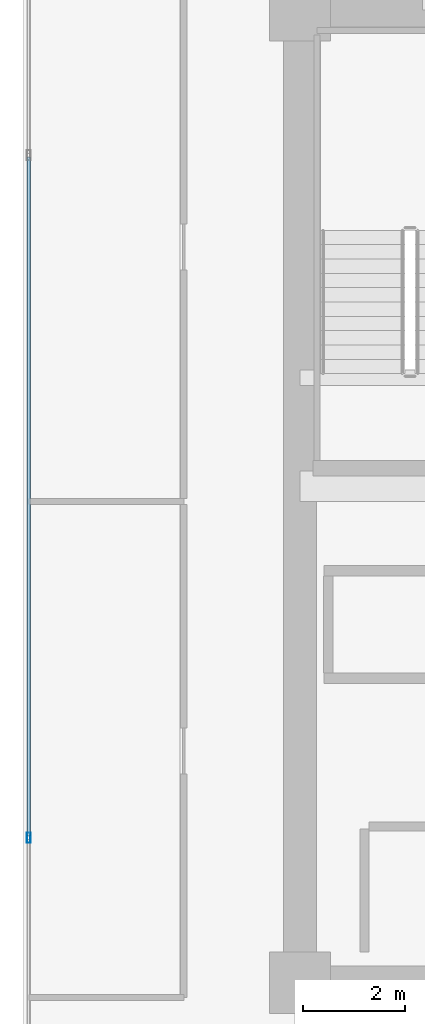
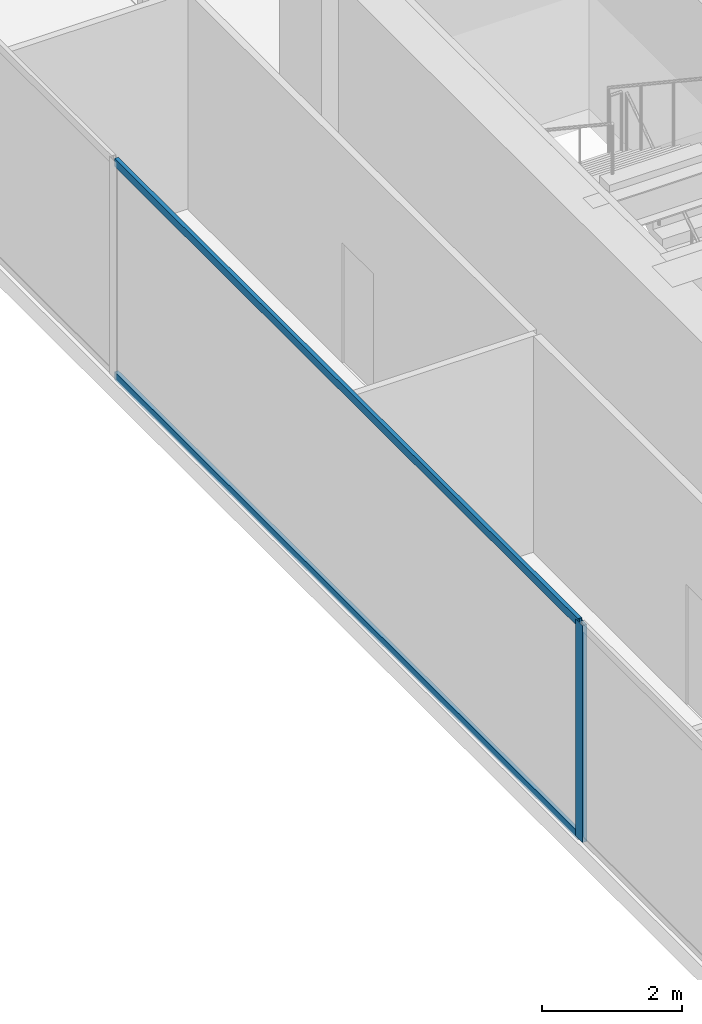
# One storey, part 6 of 33: 3 members, 1 element without a shape of its own.
"""IFC4 building model written with IfcOpenShell, lengths in metres."""

import ifcopenshell
import ifcopenshell.guid

model = None  # the IFC model being written
_history = None  # IfcOwnerHistory: only IFC2X3 demands one
_inside = {}  # id of a spatial element -> (the spatial element, [elements in it])
_under = {}  # id of a project, library or spatial element -> (it, [spatial elements below it])
_declared = {}  # id of a project -> (the project, [libraries it declares])
_typed = {}  # id of a type object -> (the type object, [elements of that type])
_made_of = {}  # id of a material, layer set ... -> (it, [elements and type objects made of it])


def new_model(schema):
    """Start an empty IFC model of exactly this schema.

    Asked for "IFC4X3", IfcOpenShell would pick the latest addendum, in which some entities
    have other attributes; the version numbers below select the first issue.
    IFC2X3 requires an IfcOwnerHistory on every rooted entity: one is made here for all.
    """
    global model, _history
    if schema == "IFC4X3":
        model = ifcopenshell.file(schema_version=(4, 3, 0, 0))
    else:
        model = ifcopenshell.file(schema=schema)
    _inside.clear()
    _under.clear()
    _declared.clear()
    _typed.clear()
    _made_of.clear()
    _history = None
    if model.schema == "IFC2X3":
        org = make("IfcOrganization", Name="unknown")
        user = make(
            "IfcPersonAndOrganization",
            ThePerson=make("IfcPerson", FamilyName="unknown"),
            TheOrganization=org,
        )
        app = make(
            "IfcApplication",
            ApplicationDeveloper=org,
            Version="unknown",
            ApplicationFullName="unknown",
            ApplicationIdentifier="unknown",
        )
        _history = make(
            "IfcOwnerHistory",
            OwningUser=user,
            OwningApplication=app,
            ChangeAction="ADDED",
            CreationDate=0,
        )
    return model


def make(cls, **values):
    """One entity of the class cls with the attributes given. An attribute that is None is left unset."""
    return model.create_entity(
        cls, **{name: value for name, value in values.items() if value is not None}
    )


def rooted(cls, **values):
    """An entity with a GlobalId (a new one), such as an element, a storey or a relation."""
    return make(cls, GlobalId=ifcopenshell.guid.new(), OwnerHistory=_history, **values)


def si_unit(unit_type, name, prefix=None):
    """IfcSIUnit, for example si_unit("LENGTHUNIT", "METRE", prefix="MILLI")."""
    return make("IfcSIUnit", UnitType=unit_type, Prefix=prefix, Name=name)


def assignment(units):
    """IfcUnitAssignment: the units of a project."""
    return None if units is None else make("IfcUnitAssignment", Units=units)


def point(xyz):
    """IfcCartesianPoint."""
    return None if xyz is None else make("IfcCartesianPoint", Coordinates=xyz)


def direction(xyz):
    """IfcDirection."""
    return None if xyz is None else make("IfcDirection", DirectionRatios=xyz)


def frame(location, z_axis=None, x_axis=None):
    """IfcAxis2Placement3D, a coordinate frame: its origin and axes. An axis left out is left unset."""
    return make(
        "IfcAxis2Placement3D",
        Location=point(location),
        Axis=direction(z_axis),
        RefDirection=direction(x_axis),
    )


def frame_2d(location, x_axis=None):
    """IfcAxis2Placement2D, a coordinate frame in the plane: its origin and x axis."""
    return make(
        "IfcAxis2Placement2D", Location=point(location), RefDirection=direction(x_axis)
    )


def origin():
    """The frame at (0, 0, 0) with its axes left unset."""
    return frame((0.0, 0.0, 0.0))


def origin_2d():
    """The frame at (0, 0) in the plane with its x axis left unset."""
    return frame_2d((0.0, 0.0))


def place(relative_to, where):
    """IfcLocalPlacement: puts the frame where relative to a parent placement (None: the world)."""
    return make(
        "IfcLocalPlacement", PlacementRelTo=relative_to, RelativePlacement=where
    )


def context(
    kind, dimensions, precision=None, world=None, true_north=None, identifier=None
):
    """IfcGeometricRepresentationContext, for example the 3D "Model" context."""
    return make(
        "IfcGeometricRepresentationContext",
        ContextIdentifier=identifier,
        ContextType=kind,
        CoordinateSpaceDimension=dimensions,
        Precision=precision,
        WorldCoordinateSystem=world,
        TrueNorth=true_north,
    )


def subcontext(parent, identifier, kind, view, scale=None):
    """IfcGeometricRepresentationSubContext, for example "Body" below "Model"."""
    return make(
        "IfcGeometricRepresentationSubContext",
        ContextIdentifier=identifier,
        ContextType=kind,
        ParentContext=parent,
        TargetScale=scale,
        TargetView=view,
    )


def project(units=None, contexts=None):
    """IfcProject with its units and contexts."""
    return rooted(
        "IfcProject",
        Name="project",
        RepresentationContexts=contexts,
        UnitsInContext=assignment(units),
    )


def spatial(cls, under=None, at=None, **own):
    """A site, building, storey or space (cls), placed at a placement, below another one or the project."""
    s = rooted(cls, ObjectPlacement=at, **own)
    if under is not None:
        _under.setdefault(under.id(), (under, []))[1].append(s)
    return s


def profile(cls, at=None, kind="AREA", **sizes):
    """A parametric profile (cls). Its sizes go by their IFC names, for example OverallWidth=200.0."""
    return make(cls, ProfileType=kind, Position=at, **sizes)


def hollow_rectangle(**sizes):
    """IfcRectangleHollowProfileDef."""
    return profile("IfcRectangleHollowProfileDef", **sizes)


def extrude(swept, where, along, depth):
    """IfcExtrudedAreaSolid: the profile swept, set in the frame where, extruded along a direction by depth."""
    return make(
        "IfcExtrudedAreaSolid",
        SweptArea=swept,
        Position=where,
        ExtrudedDirection=direction(along),
        Depth=depth,
    )


def shape(context_of_items, identifier, shape_type, items):
    """IfcShapeRepresentation: the items that make up one representation, for example the "Body"."""
    return make(
        "IfcShapeRepresentation",
        ContextOfItems=context_of_items,
        RepresentationIdentifier=identifier,
        RepresentationType=shape_type,
        Items=items,
    )


def source(mapping_origin, context_of_items, identifier, shape_type, items):
    """IfcRepresentationMap: a shape defined once, which mapped items show again and again."""
    return make(
        "IfcRepresentationMap",
        MappingOrigin=mapping_origin,
        MappedRepresentation=shape(context_of_items, identifier, shape_type, items),
    )


def transform(
    local_origin,
    x_axis=None,
    y_axis=None,
    z_axis=None,
    scale=None,
    scale2=None,
    scale3=None,
    uniform=True,
):
    """IfcCartesianTransformationOperator3D, or its non-uniform kind. x_axis, y_axis, z_axis: its Axis1, 2, 3."""
    if uniform:
        return make(
            "IfcCartesianTransformationOperator3D",
            Axis1=direction(x_axis),
            Axis2=direction(y_axis),
            LocalOrigin=point(local_origin),
            Scale=scale,
            Axis3=direction(z_axis),
        )
    return make(
        "IfcCartesianTransformationOperator3DnonUniform",
        Axis1=direction(x_axis),
        Axis2=direction(y_axis),
        LocalOrigin=point(local_origin),
        Scale=scale,
        Axis3=direction(z_axis),
        Scale2=scale2,
        Scale3=scale3,
    )


def mapped(mapping_source, mapping_target):
    """IfcMappedItem: shows the shape of a source again, moved by a transform."""
    return make(
        "IfcMappedItem", MappingSource=mapping_source, MappingTarget=mapping_target
    )


def material(Name=None, Category=None):
    """IfcMaterial."""
    return make("IfcMaterial", Name=Name, Category=Category)


def layer(
    of_material, thickness, ventilated=None, Name=None, Category=None, Priority=None
):
    """IfcMaterialLayer: one layer of a wall or slab, of a material (None: an air gap)."""
    return make(
        "IfcMaterialLayer",
        Material=of_material,
        LayerThickness=thickness,
        IsVentilated=ventilated,
        Name=Name,
        Category=Category,
        Priority=Priority,
    )


def layer_set(layers, Name=None):
    """IfcMaterialLayerSet."""
    return make("IfcMaterialLayerSet", MaterialLayers=layers, LayerSetName=Name)


def material_profile(
    of_material, cross_section, Name=None, Category=None, Priority=None
):
    """IfcMaterialProfile: a cross section and its material."""
    return make(
        "IfcMaterialProfile",
        Name=Name,
        Material=of_material,
        Profile=cross_section,
        Priority=Priority,
        Category=Category,
    )


def profile_set(profiles, Name=None, composite=None):
    """IfcMaterialProfileSet."""
    return make(
        "IfcMaterialProfileSet",
        Name=Name,
        MaterialProfiles=profiles,
        CompositeProfile=composite,
    )


def made_of(thing, what):
    """Note that an element or type object is made of a material, layer set ...; save() writes the relation."""
    if what is not None:
        _made_of.setdefault(what.id(), (what, []))[1].append(thing)
    return thing


def type_object(cls, material=None, **own):
    """A type object (cls), such as IfcWallType, which elements share."""
    return made_of(rooted(cls, **own), material)


def type_shapes(of_type, sources):
    """Give a type object the sources (RepresentationMaps) that its elements show as mapped items."""
    of_type.RepresentationMaps = sources


def element(
    cls,
    number,
    at=None,
    inside=None,
    cuts=None,
    type_object=None,
    material=None,
    context=None,
    identifier="Body",
    shape_type=None,
    held_by="IfcProductDefinitionShape",
    body=None,
    shapes=None,
    **own,
):
    """One element of the class cls, such as IfcWall. Its Tag is "e" and its number.

    at: its placement. inside: the storey or other place that contains it. cuts: it is an
    opening in that element (IfcRelVoidsElement). A single representation is given by context,
    identifier, shape_type and body (its items); several are given by shapes. held_by: the class
    of the entity that holds the representations. save() writes the other relations.
    """
    e = rooted(cls, Tag="e%d" % number, ObjectPlacement=at, **own)
    if body is not None:
        shapes = [shape(context, identifier, shape_type, body)]
    if shapes is not None:
        e.Representation = make(held_by, Representations=shapes)
    if inside is not None:
        _inside.setdefault(inside.id(), (inside, []))[1].append(e)
    if cuts is not None:
        rooted(
            "IfcRelVoidsElement", RelatingBuildingElement=cuts, RelatedOpeningElement=e
        )
    if type_object is not None:
        _typed.setdefault(type_object.id(), (type_object, []))[1].append(e)
    return made_of(e, material)


def aggregate(whole, parts):
    """IfcRelAggregates: a whole, such as a stair, and the parts it consists of."""
    return rooted("IfcRelAggregates", RelatingObject=whole, RelatedObjects=parts)


def save(model, path):
    """Write the relations noted so far, then the file.

    IfcRelAggregates (storeys below a building ...), IfcRelContainedInSpatialStructure (elements
    in a storey), IfcRelDefinesByType, IfcRelAssociatesMaterial and IfcRelDeclares: one each for
    every whole, place, type object, material and project.
    """
    for whole, parts in _under.values():
        aggregate(whole, parts)
    for where, things in _inside.values():
        rooted(
            "IfcRelContainedInSpatialStructure",
            RelatedElements=things,
            RelatingStructure=where,
        )
    for kind, things in _typed.values():
        rooted("IfcRelDefinesByType", RelatedObjects=things, RelatingType=kind)
    for what, things in _made_of.values():
        rooted("IfcRelAssociatesMaterial", RelatedObjects=things, RelatingMaterial=what)
    for by, libraries in _declared.values():
        rooted("IfcRelDeclares", RelatingContext=by, RelatedDefinitions=libraries)
    model.write(path)


model = new_model("IFC4")

# Units and contexts
model_context = context("Model", 3, precision=1e-05, world=origin(), true_north=direction((0.0, 1.0)))
body_context = subcontext(model_context, "Body", "Model", "MODEL_VIEW")
ifc_project = project(units=[si_unit("LENGTHUNIT", "METRE"), si_unit("AREAUNIT", "SQUARE_METRE"), si_unit("VOLUMEUNIT", "CUBIC_METRE"), si_unit("PLANEANGLEUNIT", "RADIAN"), si_unit("MASSUNIT", "GRAM", prefix="KILO")], contexts=[model_context])

# Site, building, storey
site_placement = place(None, origin())
site = spatial("IfcSite", under=ifc_project, at=site_placement, CompositionType="ELEMENT")
building_placement = place(site_placement, origin())
building = spatial("IfcBuilding", under=site, at=building_placement, Name="Haelvirn Gate Laboratories", CompositionType="ELEMENT")
storey_placement = place(building_placement, frame((0.0, 0.0, 166.60009765625)))
storey = spatial("IfcBuildingStorey", under=building, at=storey_placement, Name="L40", CompositionType="ELEMENT", Elevation=166.60009765625)

# Curtain wall, members
ifc_material_1 = material(Name="Anodised bronze unitised aluminium & triple low-E glass", Category="aluminium")
ifc_layer = layer(ifc_material_1, 0.179931640625, Name="CW-SYS-3")
ifc_layer_set = layer_set([ifc_layer], Name="Anodised bronze unitised aluminium & triple low-E glass")
curtain_wall_type = type_object("IfcCurtainWallType", Name="CW-SYS-3", PredefinedType="NOTDEFINED", material=ifc_layer_set)
curtain_wall_placement = place(storey_placement, origin())
curtain_wall = element("IfcCurtainWall", 1, at=curtain_wall_placement, inside=storey, type_object=curtain_wall_type, Name="L40 Unitised Curtain Wall CW-L40-P0-E17", PredefinedType="NOTDEFINED")
ifc_material_2 = material(Name="Extruded aluminium 6063-T6 (anodised bronze)", Category="aluminium")
ifc_material_profile_1 = material_profile(ifc_material_2, hollow_rectangle(XDim=0.06494140625, YDim=0.139892578125, WallThickness=0.00390625, at=origin_2d()), Name="CWT-140x65x4")
ifc_profile_set_1 = profile_set([ifc_material_profile_1], Name="Extruded aluminium 6063-T6 (anodised bronze)")
member_type_1 = type_object("IfcMemberType", Name="CWT-T140", PredefinedType="USERDEFINED", material=ifc_profile_set_1)
shared_shape_1 = source(origin(), body_context, "Body", "SweptSolid", [
    extrude(hollow_rectangle(XDim=0.06494140625, YDim=0.139892578125, WallThickness=0.00390625, at=origin_2d()), origin(), (0.0, 0.0, 1.0), 13.25830078125),
])
type_shapes(member_type_1, [shared_shape_1])
member_1_placement = place(storey_placement, frame((2.10009765625, 30.92919921875, 0.032470703125), z_axis=(0.0, -1.0, 0.0), x_axis=(1.0, 0.0, 0.0)))
member_1 = element("IfcMember", 2, at=member_1_placement, type_object=member_type_1, Name="CW3 transom 2.1", ObjectType="TRANSOM", PredefinedType="USERDEFINED", context=body_context, shape_type="MappedRepresentation", body=[
    mapped(shared_shape_1, transform((0.0, 0.0, 0.0), scale=1.0)),
])
member_2_placement = place(storey_placement, frame((2.10009765625, 30.92919921875, 3.75732421875), z_axis=(0.0, -1.0, 0.0), x_axis=(1.0, 0.0, 0.0)))
member_2 = element("IfcMember", 3, at=member_2_placement, type_object=member_type_1, Name="CW3 transom 2.2", ObjectType="TRANSOM", PredefinedType="USERDEFINED", context=body_context, shape_type="MappedRepresentation", body=[
    mapped(shared_shape_1, transform((0.0, 0.0, 0.0), scale=1.0)),
])
ifc_material_profile_2 = material_profile(ifc_material_2, hollow_rectangle(XDim=0.074951171875, YDim=0.199951171875, WallThickness=0.0048828125, at=origin_2d()), Name="CWM-200x75x5")
ifc_profile_set_2 = profile_set([ifc_material_profile_2], Name="Extruded aluminium 6063-T6 (anodised bronze)")
member_type_2 = type_object("IfcMemberType", Name="CWM-T200", PredefinedType="MULLION", material=ifc_profile_set_2)
shared_shape_2 = source(origin(), body_context, "Body", "SweptSolid", [
    extrude(hollow_rectangle(XDim=0.074951171875, YDim=0.199951171875, WallThickness=0.0048828125, at=origin_2d()), origin(), (0.0, 0.0, 1.0), 3.789794921875),
])
type_shapes(member_type_2, [shared_shape_2])
member_3_placement = place(storey_placement, frame((2.10009765625, 17.63330078125, 0.0), z_axis=(0.0, 0.0, 1.0), x_axis=(1.0, 0.0, 0.0)))
member_3 = element("IfcMember", 4, at=member_3_placement, type_object=member_type_2, Name="CW3 mullion 3", PredefinedType="MULLION", context=body_context, shape_type="MappedRepresentation", body=[
    mapped(shared_shape_2, transform((0.0, 0.0, 0.0), scale=1.0)),
])
aggregate(curtain_wall, [member_3, member_1, member_2])

save(model, "model.ifc")
